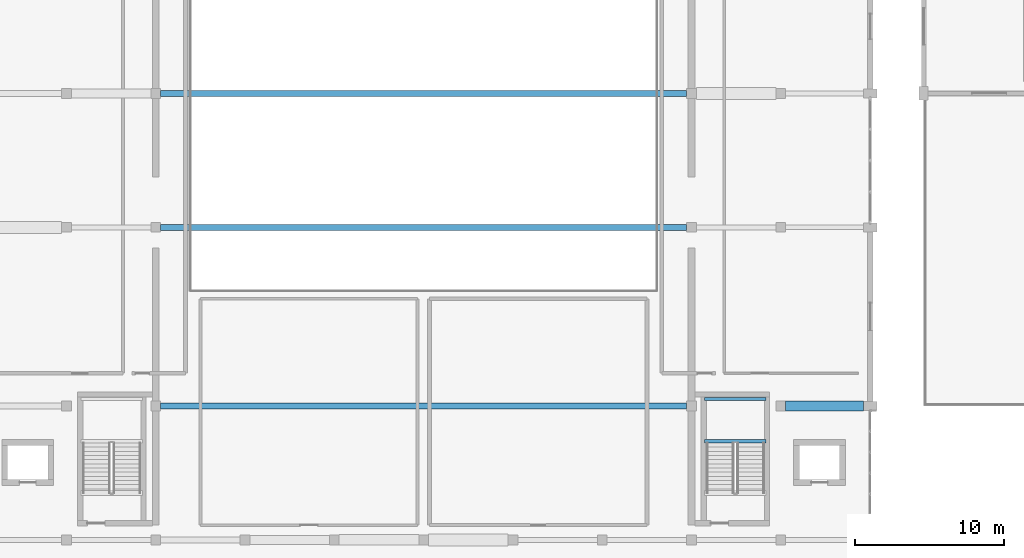
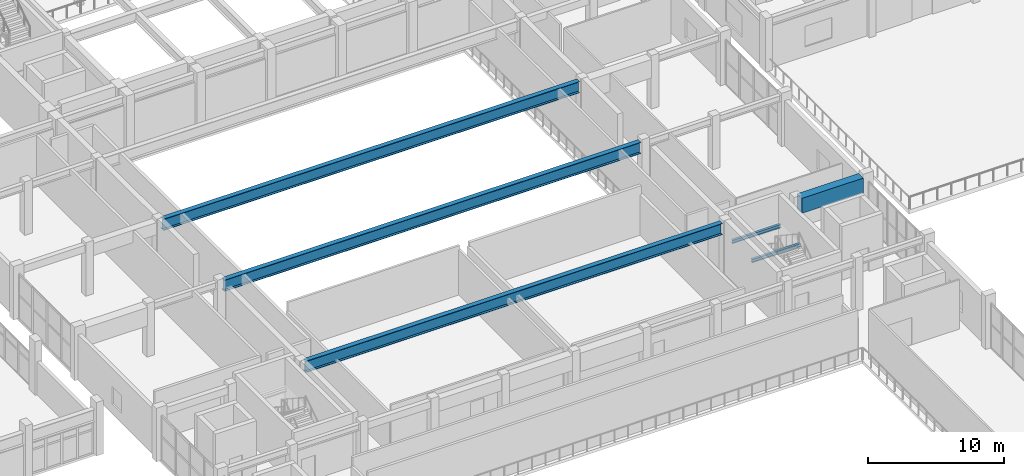
# One storey, part 18 of 62: 6 beams.
"""IFC4 building model written with IfcOpenShell, lengths in metres."""

from ifc_helpers import new_model, si_unit, direction, frame, origin, origin_2d, place, context, subcontext, project, spatial, rectangle, i_section, extrude, material, material_profile, profile_set, type_object, element, save


model = new_model("IFC4")

# Units and contexts
model_context = context("Model", 3, precision=1e-05, world=origin(), true_north=direction((0.0, 1.0)))
body_context = subcontext(model_context, "Body", "Model", "MODEL_VIEW")
ifc_project = project(units=[si_unit("LENGTHUNIT", "METRE"), si_unit("AREAUNIT", "SQUARE_METRE"), si_unit("VOLUMEUNIT", "CUBIC_METRE"), si_unit("PLANEANGLEUNIT", "RADIAN"), si_unit("MASSUNIT", "GRAM", prefix="KILO")], contexts=[model_context])

# Site, building, storey
site_placement = place(None, origin())
site = spatial("IfcSite", under=ifc_project, at=site_placement, CompositionType="ELEMENT")
building_placement = place(site_placement, origin())
building = spatial("IfcBuilding", under=site, at=building_placement, Name="Vaelkrest Opera House", CompositionType="ELEMENT")
storey_placement = place(building_placement, frame((0.0, 0.0, 19.800048828125)))
storey = spatial("IfcBuildingStorey", under=building, at=storey_placement, Name="L04", CompositionType="ELEMENT", Elevation=19.800048828125)

# Beams
ifc_material_1 = material(Name="Concrete C50/60", Category="concrete")
ifc_material_profile_1 = material_profile(ifc_material_1, rectangle(XDim=0.699951171875, YDim=1.35009765625, at=origin_2d()), Name="RCB700X1350")
ifc_profile_set_1 = profile_set([ifc_material_profile_1], Name="Concrete C50/60")
beam_type_1 = type_object("IfcBeamType", Name="B06", PredefinedType="BEAM", material=ifc_profile_set_1)
beam_placement = place(storey_placement, frame((24.324951171875, -19.800048828125, 3.829833984375), z_axis=(1.0, 0.0, 0.0), x_axis=(0.0, 1.0, 0.0)))
element("IfcBeam", 1, at=beam_placement, inside=storey, type_object=beam_type_1, Name="Beam BM-V1-L04-0551", PredefinedType="BEAM", context=body_context, shape_type="SweptSolid", body=[
    extrude(rectangle(XDim=0.699951171875, YDim=1.35009765625, at=origin_2d()), origin(), (0.0, 0.0, 1.0), 5.22509765625),
])
ifc_material_2 = material(Name="Steel A992 Gr50", Category="steel")
ifc_material_profile_2 = material_profile(ifc_material_2, i_section(OverallWidth=0.39990234375, OverallDepth=1.02197265625, WebThickness=0.01904296875, FlangeThickness=0.0361328125, at=origin_2d()), Name="W40X249")
ifc_profile_set_2 = profile_set([ifc_material_profile_2], Name="Steel A992 Gr50")
beam_type_2 = type_object("IfcBeamType", Name="B15", PredefinedType="BEAM", material=ifc_profile_set_2)
for number, where, z_axis, x_axis, name in (
    (2, (-17.675048828125, -19.800048828125, 3.993896484375), (1.0, 0.0, 0.0), (0.0, 1.0, 0.0), "Beam BM-V1-L04-0550"),
    (3, (-17.675048828125, -7.800048828125, 3.993896484375), (1.0, 0.0, 0.0), (0.0, 1.0, 0.0), "Beam BM-V1-L04-0554"),
    (4, (-17.675048828125, 1.199951171875, 3.993896484375), (1.0, 0.0, 0.0), (0.0, 1.0, 0.0), "Beam BM-V1-L04-0559"),
):
    element("IfcBeam", number, at=place(storey_placement, frame(where, z_axis=z_axis, x_axis=x_axis)), inside=storey, type_object=beam_type_2, Name=name, PredefinedType="BEAM", context=body_context, shape_type="SweptSolid", body=[
        extrude(i_section(OverallWidth=0.39990234375, OverallDepth=1.02197265625, WebThickness=0.01904296875, FlangeThickness=0.0361328125, at=origin_2d()), origin(), (0.0, 0.0, 1.0), 35.35009765625),
    ])
ifc_material_profile_3 = material_profile(ifc_material_2, i_section(OverallWidth=0.202880859375, OverallDepth=0.302978515625, WebThickness=0.007568359375, FlangeThickness=0.01318359375, at=origin_2d()), Name="W12X40")
ifc_profile_set_3 = profile_set([ifc_material_profile_3], Name="Steel A992 Gr50")
beam_type_3 = type_object("IfcBeamType", Name="J02", PredefinedType="JOIST", material=ifc_profile_set_3)
for number, where, z_axis, x_axis, name in (
    (5, (18.8798828125, -22.169921875, 2.04833984375), (1.0, 0.0, 0.0), (0.0, 1.0, 0.0), "Stair landing bearer beam ST02 L04-1N"),
    (6, (18.8798828125, -19.320068359375, 2.04833984375), (1.0, 0.0, 0.0), (0.0, 1.0, 0.0), "Stair landing bearer beam ST02 L04-1F"),
):
    element("IfcBeam", number, at=place(storey_placement, frame(where, z_axis=z_axis, x_axis=x_axis)), inside=storey, type_object=beam_type_3, Name=name, PredefinedType="JOIST", context=body_context, shape_type="SweptSolid", body=[
        extrude(i_section(OverallWidth=0.202880859375, OverallDepth=0.302978515625, WebThickness=0.007568359375, FlangeThickness=0.01318359375, at=origin_2d()), origin(), (0.0, 0.0, 1.0), 4.14013671875),
    ])

save(model, "model.ifc")
